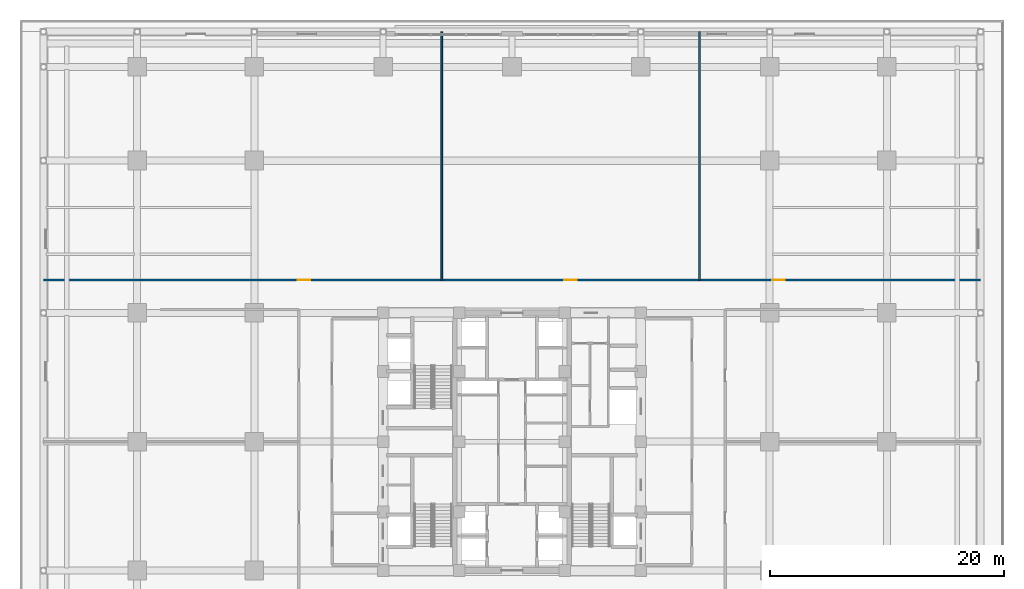
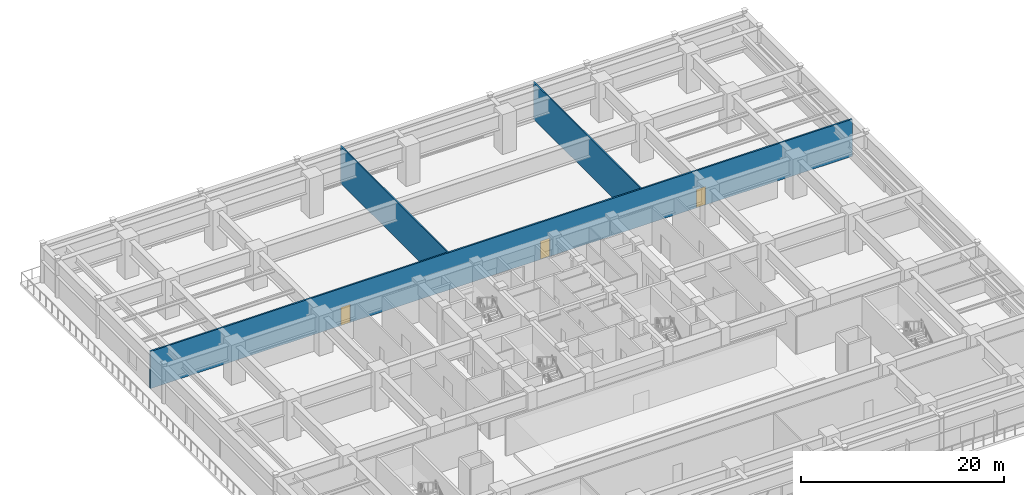
# One storey, part 29 of 38: 3 doors, 3 walls, 3 openings.
"""IFC4 building model written with IfcOpenShell, lengths in metres."""

from ifc_helpers import new_model, si_unit, direction, frame, frame_2d, origin, place, context, subcontext, project, spatial, rectangle, extrude, source, transform, mapped, material, layer, layer_set, type_object, element, fill, save


model = new_model("IFC4")

# Units and contexts
model_context = context("Model", 3, precision=1e-05, world=origin(), true_north=direction((0.0, 1.0)))
body_context = subcontext(model_context, "Body", "Model", "MODEL_VIEW")
ifc_project = project(units=[si_unit("LENGTHUNIT", "METRE"), si_unit("AREAUNIT", "SQUARE_METRE"), si_unit("VOLUMEUNIT", "CUBIC_METRE"), si_unit("PLANEANGLEUNIT", "RADIAN"), si_unit("MASSUNIT", "GRAM", prefix="KILO")], contexts=[model_context])

# Site, building, storey
site_placement = place(None, origin())
site = spatial("IfcSite", under=ifc_project, at=site_placement, CompositionType="ELEMENT")
building_placement = place(site_placement, origin())
building = spatial("IfcBuilding", under=site, at=building_placement, Name="Khorayat Bourse Tower", CompositionType="ELEMENT")
storey_placement = place(building_placement, frame((0.0, 0.0, 17.39990234375)))
storey = spatial("IfcBuildingStorey", under=building, at=storey_placement, Name="L03", CompositionType="ELEMENT", Elevation=17.39990234375)

# Wall, openings, doors
ifc_material_1 = material(Name="Gypsum plasterboard acoustic stud wall")
ifc_layer_1 = layer(ifc_material_1, 0.179931640625)
ifc_layer_set_1 = layer_set([ifc_layer_1], Name="Gypsum plasterboard acoustic stud wall")
wall_type_1 = type_object("IfcWallType", Name="WAL-PART-CORR-180", PredefinedType="PARTITIONING", material=ifc_layer_set_1)
shared_shape_1 = source(origin(), body_context, "Body", "SweptSolid", [
    extrude(rectangle(XDim=80.0, YDim=0.179931640625, at=frame_2d((40.0, 0.0))), origin(), (0.0, 0.0, 1.0), 4.47998046875),
])
wall_placement = place(storey_placement, frame((-40.0, 13.800048828125, 0.0), z_axis=(0.0, 0.0, 1.0), x_axis=(1.0, 0.0, 0.0)))
wall = element("IfcWall", 1, at=wall_placement, inside=storey, type_object=wall_type_1, Name="L03 Partition WAL-L03-PCORRN-N", PredefinedType="PARTITIONING", context=body_context, shape_type="MappedRepresentation", body=[
    mapped(shared_shape_1, transform((0.0, 0.0, 0.0), scale=1.0)),
])
shared_shape_2 = source(origin(), body_context, "Body", "SweptSolid", [
    extrude(rectangle(XDim=1.050048828125, YDim=2.199951171875, at=frame_2d((0.52490234375, 1.10009765625))), frame((0.0, 0.099853515625, 0.0), z_axis=(0.0, -1.0, 0.0), x_axis=(1.0, 0.0, 0.0)), (0.0, 0.0, 1.0), 0.199951171875),
])
opening_1_placement = place(wall_placement, frame((21.72509765625, 0.0, 0.0)))
opening_1 = element("IfcOpeningElement", 2, at=opening_1_placement, cuts=wall, Name="Opening DI-04", PredefinedType="OPENING", context=body_context, shape_type="MappedRepresentation", body=[
    mapped(shared_shape_2, transform((0.0, 0.0, 0.0), scale=1.0)),
])
opening_2_placement = place(wall_placement, frame((44.47509765625, 0.0, 0.0)))
opening_2 = element("IfcOpeningElement", 3, at=opening_2_placement, cuts=wall, Name="Opening DI-04", PredefinedType="OPENING", context=body_context, shape_type="MappedRepresentation", body=[
    mapped(shared_shape_2, transform((0.0, 0.0, 0.0), scale=1.0)),
])
opening_3_placement = place(wall_placement, frame((62.22509765625, 0.0, 0.0)))
opening_3 = element("IfcOpeningElement", 4, at=opening_3_placement, cuts=wall, Name="Opening DI-04", PredefinedType="OPENING", context=body_context, shape_type="MappedRepresentation", body=[
    mapped(shared_shape_2, transform((0.0, 0.0, 0.0), scale=1.0)),
])
ifc_material_2 = material(Name="Fire-rated oak veneer suite entrance door")
door_type = type_object("IfcDoorType", Name="DR-INT-SUITE-1050", OperationType="NOTDEFINED", PredefinedType="DOOR", material=ifc_material_2)
shared_shape_3 = source(origin(), body_context, "Body", "SweptSolid", [
    extrude(rectangle(XDim=1.050048828125, YDim=2.199951171875, at=frame_2d((0.52490234375, 1.10009765625))), frame((0.0, 0.02490234375, 0.0), z_axis=(0.0, -1.0, 0.0), x_axis=(1.0, 0.0, 0.0)), (0.0, 0.0, 1.0), 0.050048828125),
])
door_1_placement = place(opening_1_placement, origin())
door_1 = element("IfcDoor", 5, at=door_1_placement, inside=storey, type_object=door_type, Name="L03 Margin Risk Analytics Office Door", OperationType="SINGLE_SWING_LEFT", OverallHeight=2.199951171875, OverallWidth=1.050048828125, PredefinedType="DOOR", context=body_context, shape_type="MappedRepresentation", body=[
    mapped(shared_shape_3, transform((0.0, 0.0, 0.0), scale=1.0)),
])
fill(opening_1, door_1)
door_2_placement = place(opening_2_placement, origin())
door_2 = element("IfcDoor", 6, at=door_2_placement, inside=storey, type_object=door_type, Name="L03 Clearing Training Classroom Door", OperationType="SINGLE_SWING_RIGHT", OverallHeight=2.199951171875, OverallWidth=1.050048828125, PredefinedType="DOOR", context=body_context, shape_type="MappedRepresentation", body=[
    mapped(shared_shape_3, transform((0.0, 0.0, 0.0), scale=1.0)),
])
fill(opening_2, door_2)
door_3_placement = place(opening_3_placement, origin())
door_3 = element("IfcDoor", 7, at=door_3_placement, inside=storey, type_object=door_type, Name="L03 Clearing Members Lounge Door", OperationType="SINGLE_SWING_LEFT", OverallHeight=2.199951171875, OverallWidth=1.050048828125, PredefinedType="DOOR", context=body_context, shape_type="MappedRepresentation", body=[
    mapped(shared_shape_3, transform((0.0, 0.0, 0.0), scale=1.0)),
])
fill(opening_3, door_3)

# Walls
ifc_material_3 = material(Name="Gypsum plasterboard twin-frame partition")
ifc_layer_2 = layer(ifc_material_3, 0.14990234375)
ifc_layer_set_2 = layer_set([ifc_layer_2], Name="Gypsum plasterboard twin-frame partition")
wall_type_2 = type_object("IfcWallType", Name="WAL-PART-SUITE-150", PredefinedType="PARTITIONING", material=ifc_layer_set_2)
shared_shape_4 = source(origin(), body_context, "Body", "SweptSolid", [
    extrude(rectangle(XDim=21.199951171875, YDim=0.14990234375, at=frame_2d((10.60009765625, 0.0))), origin(), (0.0, 0.0, 1.0), 4.47998046875),
])
for number, where, z_axis, x_axis, name in (
    (8, (-6.0, 13.800048828125, 0.0), (0.0, 0.0, 1.0), (0.0, 1.0, 0.0), "L03 Partition WAL-L03-PN-DIV-1"),
    (9, (16.0, 13.800048828125, 0.0), (0.0, 0.0, 1.0), (0.0, 1.0, 0.0), "L03 Partition WAL-L03-PN-DIV-2"),
):
    element("IfcWall", number, at=place(storey_placement, frame(where, z_axis=z_axis, x_axis=x_axis)), inside=storey, type_object=wall_type_2, Name=name, PredefinedType="PARTITIONING", context=body_context, shape_type="MappedRepresentation", body=[
        mapped(shared_shape_4, transform((0.0, 0.0, 0.0), scale=1.0)),
    ])

save(model, "model.ifc")
